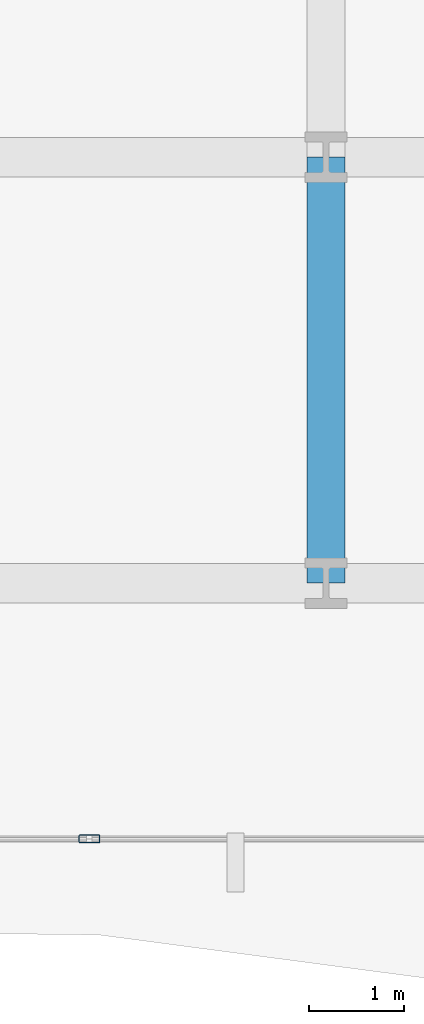
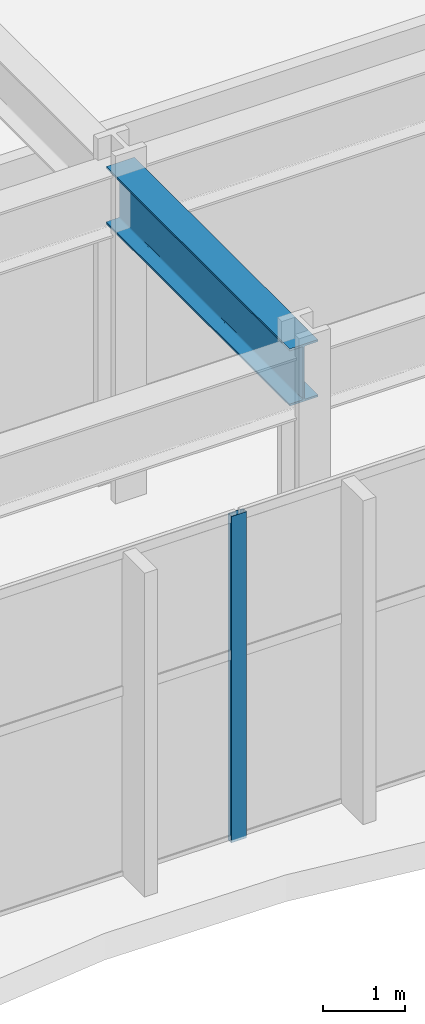
# One storey, part 8 of 33: 1 beam, 1 member, 1 element without a shape of its own.
"""IFC4 building model written with IfcOpenShell, lengths in metres."""

from ifc_helpers import new_model, si_unit, direction, frame, origin, origin_2d, place, context, subcontext, project, spatial, hollow_rectangle, i_section, extrude, material, layer, layer_set, material_profile, profile_set, type_object, element, aggregate, save


model = new_model("IFC4")

# Units and contexts
model_context = context("Model", 3, precision=1e-05, world=origin(), true_north=direction((0.0, 1.0)))
body_context = subcontext(model_context, "Body", "Model", "MODEL_VIEW")
ifc_project = project(units=[si_unit("LENGTHUNIT", "METRE"), si_unit("AREAUNIT", "SQUARE_METRE"), si_unit("VOLUMEUNIT", "CUBIC_METRE"), si_unit("PLANEANGLEUNIT", "RADIAN"), si_unit("MASSUNIT", "GRAM", prefix="KILO")], contexts=[model_context])

# Site, building, storey
site_placement = place(None, origin())
site = spatial("IfcSite", under=ifc_project, at=site_placement, CompositionType="ELEMENT")
building_placement = place(site_placement, origin())
building = spatial("IfcBuilding", under=site, at=building_placement, Name="Solvaryn Broadcast Tower", CompositionType="ELEMENT")
storey_placement = place(building_placement, frame((0.0, 0.0, 5.800048828125)))
storey = spatial("IfcBuildingStorey", under=building, at=storey_placement, Name="L01", CompositionType="ELEMENT", Elevation=5.800048828125)

# Beam
ifc_material_1 = material(Name="Steel ASTM A992 Grade 50", Category="steel")
ifc_material_profile_1 = material_profile(ifc_material_1, i_section(OverallWidth=0.39990234375, OverallDepth=0.85498046875, WebThickness=0.018310546875, FlangeThickness=0.029296875, FilletRadius=0.02001953125, at=origin_2d()))
ifc_profile_set_1 = profile_set([ifc_material_profile_1], Name="Steel ASTM A992 Grade 50")
beam_type = type_object("IfcBeamType", Name="BM-G3-W33X201", PredefinedType="BEAM", material=ifc_profile_set_1)
beam_placement = place(storey_placement, frame((45.0, 4.5, 4.452392578125), z_axis=(0.0, 1.0, 0.0), x_axis=(-1.0, 0.0, 0.0)))
element("IfcBeam", 1, at=beam_placement, inside=storey, type_object=beam_type, Name="L01 Primary Beam Y (4-9 @ X=45)", PredefinedType="BEAM", context=body_context, shape_type="SweptSolid", body=[
    extrude(i_section(OverallWidth=0.39990234375, OverallDepth=0.85498046875, WebThickness=0.018310546875, FlangeThickness=0.029296875, FilletRadius=0.02001953125, at=origin_2d()), origin(), (0.0, 0.0, 1.0), 4.5),
])

# Curtain wall, member
ifc_material_2 = material(Name="Aluminium and Terracotta Unitised Curtain Wall", Category="masonry")
ifc_layer = layer(ifc_material_2, 0.219970703125)
ifc_layer_set = layer_set([ifc_layer], Name="CW-SYS1-PODIUM")
curtain_wall_type = type_object("IfcCurtainWallType", Name="CW-SYS1-PODIUM", PredefinedType="NOTDEFINED", material=ifc_layer_set)
curtain_wall_placement = place(storey_placement, origin())
curtain_wall = element("IfcCurtainWall", 2, at=curtain_wall_placement, inside=storey, type_object=curtain_wall_type, Name="L01 Podium Curtain Wall S1", PredefinedType="NOTDEFINED")
ifc_material_3 = material(Name="Anodised Aluminium 6063-T6", Category="aluminium")
ifc_material_profile_2 = material_profile(ifc_material_3, hollow_rectangle(XDim=0.0849609375, YDim=0.219970703125, WallThickness=0.0048828125, InnerFilletRadius=0.0048828125, OuterFilletRadius=0.010009765625, at=origin_2d()))
ifc_profile_set_2 = profile_set([ifc_material_profile_2], Name="Anodised Aluminium 6063-T6")
member_type = type_object("IfcMemberType", Name="CW-MUL-220", PredefinedType="MULLION", material=ifc_profile_set_2)
member_placement = place(storey_placement, frame((42.5, 1.800048828125, 0.0), z_axis=(0.0, 0.0, 1.0), x_axis=(0.0, -1.0, 0.0)))
member = element("IfcMember", 3, at=member_placement, type_object=member_type, Name="CWS1 mullion 2", PredefinedType="MULLION", context=body_context, shape_type="SweptSolid", body=[
    extrude(hollow_rectangle(XDim=0.0849609375, YDim=0.219970703125, WallThickness=0.0048828125, InnerFilletRadius=0.0048828125, OuterFilletRadius=0.010009765625, at=origin_2d()), origin(), (0.0, 0.0, 1.0), 4.8798828125),
])
aggregate(curtain_wall, [member])

save(model, "model.ifc")
